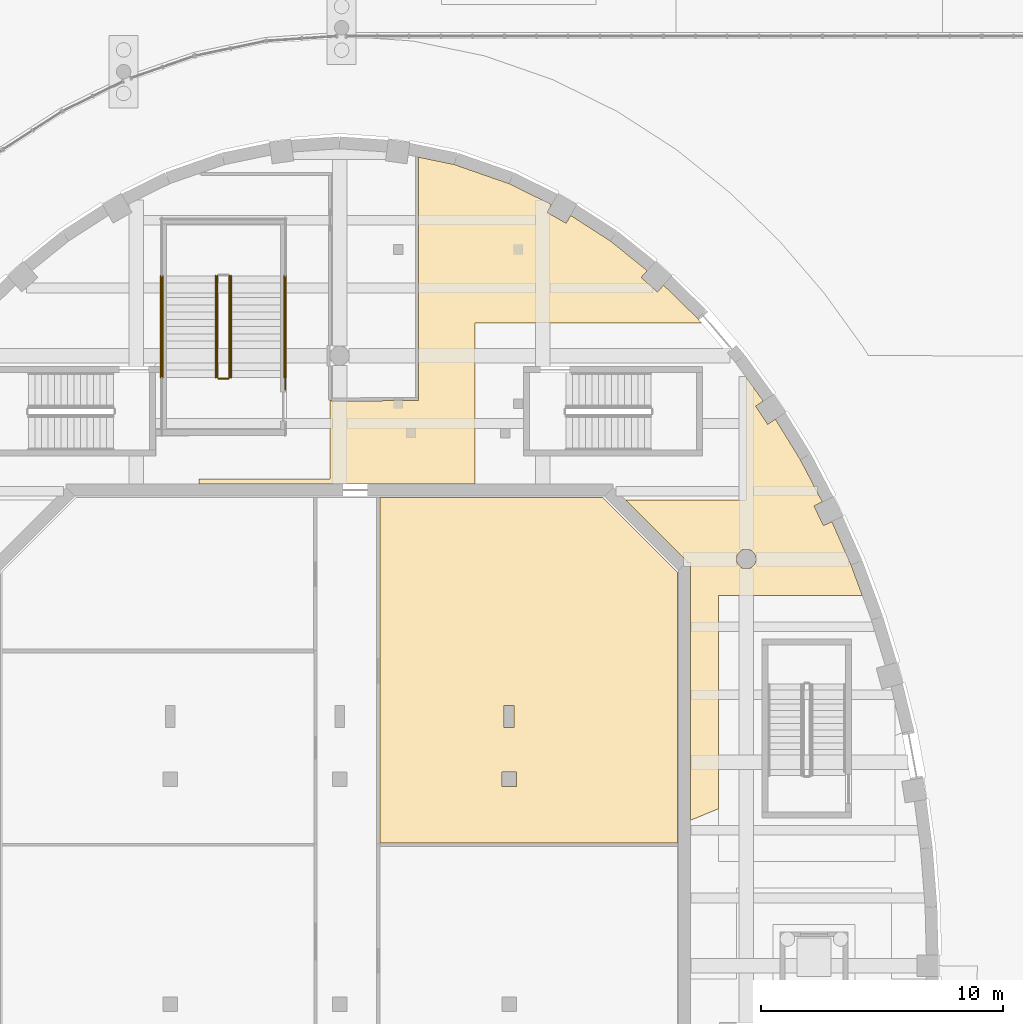
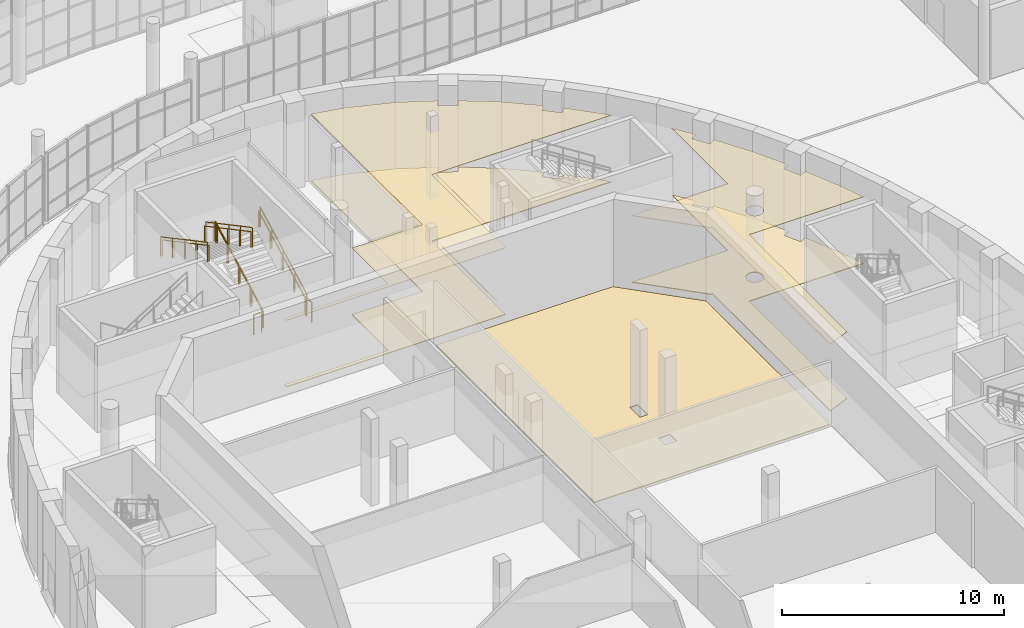
# One storey, part 101 of 110: 10 railings, 5 coverings.
"""IFC4 building model written with IfcOpenShell, lengths in metres."""

import ifcopenshell
import ifcopenshell.guid

model = None  # the IFC model being written
_history = None  # IfcOwnerHistory: only IFC2X3 demands one
_inside = {}  # id of a spatial element -> (the spatial element, [elements in it])
_under = {}  # id of a project, library or spatial element -> (it, [spatial elements below it])
_declared = {}  # id of a project -> (the project, [libraries it declares])
_typed = {}  # id of a type object -> (the type object, [elements of that type])
_made_of = {}  # id of a material, layer set ... -> (it, [elements and type objects made of it])


def new_model(schema):
    """Start an empty IFC model of exactly this schema.

    Asked for "IFC4X3", IfcOpenShell would pick the latest addendum, in which some entities
    have other attributes; the version numbers below select the first issue.
    IFC2X3 requires an IfcOwnerHistory on every rooted entity: one is made here for all.
    """
    global model, _history
    if schema == "IFC4X3":
        model = ifcopenshell.file(schema_version=(4, 3, 0, 0))
    else:
        model = ifcopenshell.file(schema=schema)
    _inside.clear()
    _under.clear()
    _declared.clear()
    _typed.clear()
    _made_of.clear()
    _history = None
    if model.schema == "IFC2X3":
        org = make("IfcOrganization", Name="unknown")
        user = make(
            "IfcPersonAndOrganization",
            ThePerson=make("IfcPerson", FamilyName="unknown"),
            TheOrganization=org,
        )
        app = make(
            "IfcApplication",
            ApplicationDeveloper=org,
            Version="unknown",
            ApplicationFullName="unknown",
            ApplicationIdentifier="unknown",
        )
        _history = make(
            "IfcOwnerHistory",
            OwningUser=user,
            OwningApplication=app,
            ChangeAction="ADDED",
            CreationDate=0,
        )
    return model


def make(cls, **values):
    """One entity of the class cls with the attributes given. An attribute that is None is left unset."""
    return model.create_entity(
        cls, **{name: value for name, value in values.items() if value is not None}
    )


def rooted(cls, **values):
    """An entity with a GlobalId (a new one), such as an element, a storey or a relation."""
    return make(cls, GlobalId=ifcopenshell.guid.new(), OwnerHistory=_history, **values)


def si_unit(unit_type, name, prefix=None):
    """IfcSIUnit, for example si_unit("LENGTHUNIT", "METRE", prefix="MILLI")."""
    return make("IfcSIUnit", UnitType=unit_type, Prefix=prefix, Name=name)


def assignment(units):
    """IfcUnitAssignment: the units of a project."""
    return None if units is None else make("IfcUnitAssignment", Units=units)


def point(xyz):
    """IfcCartesianPoint."""
    return None if xyz is None else make("IfcCartesianPoint", Coordinates=xyz)


def direction(xyz):
    """IfcDirection."""
    return None if xyz is None else make("IfcDirection", DirectionRatios=xyz)


def frame(location, z_axis=None, x_axis=None):
    """IfcAxis2Placement3D, a coordinate frame: its origin and axes. An axis left out is left unset."""
    return make(
        "IfcAxis2Placement3D",
        Location=point(location),
        Axis=direction(z_axis),
        RefDirection=direction(x_axis),
    )


def frame_2d(location, x_axis=None):
    """IfcAxis2Placement2D, a coordinate frame in the plane: its origin and x axis."""
    return make(
        "IfcAxis2Placement2D", Location=point(location), RefDirection=direction(x_axis)
    )


def origin():
    """The frame at (0, 0, 0) with its axes left unset."""
    return frame((0.0, 0.0, 0.0))


def origin_2d():
    """The frame at (0, 0) in the plane with its x axis left unset."""
    return frame_2d((0.0, 0.0))


def place(relative_to, where):
    """IfcLocalPlacement: puts the frame where relative to a parent placement (None: the world)."""
    return make(
        "IfcLocalPlacement", PlacementRelTo=relative_to, RelativePlacement=where
    )


def context(
    kind, dimensions, precision=None, world=None, true_north=None, identifier=None
):
    """IfcGeometricRepresentationContext, for example the 3D "Model" context."""
    return make(
        "IfcGeometricRepresentationContext",
        ContextIdentifier=identifier,
        ContextType=kind,
        CoordinateSpaceDimension=dimensions,
        Precision=precision,
        WorldCoordinateSystem=world,
        TrueNorth=true_north,
    )


def subcontext(parent, identifier, kind, view, scale=None):
    """IfcGeometricRepresentationSubContext, for example "Body" below "Model"."""
    return make(
        "IfcGeometricRepresentationSubContext",
        ContextIdentifier=identifier,
        ContextType=kind,
        ParentContext=parent,
        TargetScale=scale,
        TargetView=view,
    )


def project(units=None, contexts=None):
    """IfcProject with its units and contexts."""
    return rooted(
        "IfcProject",
        Name="project",
        RepresentationContexts=contexts,
        UnitsInContext=assignment(units),
    )


def spatial(cls, under=None, at=None, **own):
    """A site, building, storey or space (cls), placed at a placement, below another one or the project."""
    s = rooted(cls, ObjectPlacement=at, **own)
    if under is not None:
        _under.setdefault(under.id(), (under, []))[1].append(s)
    return s


def polyline(points):
    """IfcPolyline through the points."""
    return make("IfcPolyline", Points=[point(p) for p in points])


def profile(cls, at=None, kind="AREA", **sizes):
    """A parametric profile (cls). Its sizes go by their IFC names, for example OverallWidth=200.0."""
    return make(cls, ProfileType=kind, Position=at, **sizes)


def circle(**sizes):
    """IfcCircleProfileDef."""
    return profile("IfcCircleProfileDef", **sizes)


def outline(outer, holes=None, kind="AREA"):
    """IfcArbitraryClosedProfileDef: a profile drawn as a closed curve; with holes, ...WithVoids."""
    if holes is None:
        return make("IfcArbitraryClosedProfileDef", ProfileType=kind, OuterCurve=outer)
    return make(
        "IfcArbitraryProfileDefWithVoids",
        ProfileType=kind,
        OuterCurve=outer,
        InnerCurves=holes,
    )


def extrude(swept, where, along, depth):
    """IfcExtrudedAreaSolid: the profile swept, set in the frame where, extruded along a direction by depth."""
    return make(
        "IfcExtrudedAreaSolid",
        SweptArea=swept,
        Position=where,
        ExtrudedDirection=direction(along),
        Depth=depth,
    )


def shape(context_of_items, identifier, shape_type, items):
    """IfcShapeRepresentation: the items that make up one representation, for example the "Body"."""
    return make(
        "IfcShapeRepresentation",
        ContextOfItems=context_of_items,
        RepresentationIdentifier=identifier,
        RepresentationType=shape_type,
        Items=items,
    )


def material(Name=None, Category=None):
    """IfcMaterial."""
    return make("IfcMaterial", Name=Name, Category=Category)


def layer(
    of_material, thickness, ventilated=None, Name=None, Category=None, Priority=None
):
    """IfcMaterialLayer: one layer of a wall or slab, of a material (None: an air gap)."""
    return make(
        "IfcMaterialLayer",
        Material=of_material,
        LayerThickness=thickness,
        IsVentilated=ventilated,
        Name=Name,
        Category=Category,
        Priority=Priority,
    )


def layer_set(layers, Name=None):
    """IfcMaterialLayerSet."""
    return make("IfcMaterialLayerSet", MaterialLayers=layers, LayerSetName=Name)


def made_of(thing, what):
    """Note that an element or type object is made of a material, layer set ...; save() writes the relation."""
    if what is not None:
        _made_of.setdefault(what.id(), (what, []))[1].append(thing)
    return thing


def type_object(cls, material=None, **own):
    """A type object (cls), such as IfcWallType, which elements share."""
    return made_of(rooted(cls, **own), material)


def element(
    cls,
    number,
    at=None,
    inside=None,
    cuts=None,
    type_object=None,
    material=None,
    context=None,
    identifier="Body",
    shape_type=None,
    held_by="IfcProductDefinitionShape",
    body=None,
    shapes=None,
    **own,
):
    """One element of the class cls, such as IfcWall. Its Tag is "e" and its number.

    at: its placement. inside: the storey or other place that contains it. cuts: it is an
    opening in that element (IfcRelVoidsElement). A single representation is given by context,
    identifier, shape_type and body (its items); several are given by shapes. held_by: the class
    of the entity that holds the representations. save() writes the other relations.
    """
    e = rooted(cls, Tag="e%d" % number, ObjectPlacement=at, **own)
    if body is not None:
        shapes = [shape(context, identifier, shape_type, body)]
    if shapes is not None:
        e.Representation = make(held_by, Representations=shapes)
    if inside is not None:
        _inside.setdefault(inside.id(), (inside, []))[1].append(e)
    if cuts is not None:
        rooted(
            "IfcRelVoidsElement", RelatingBuildingElement=cuts, RelatedOpeningElement=e
        )
    if type_object is not None:
        _typed.setdefault(type_object.id(), (type_object, []))[1].append(e)
    return made_of(e, material)


def aggregate(whole, parts):
    """IfcRelAggregates: a whole, such as a stair, and the parts it consists of."""
    return rooted("IfcRelAggregates", RelatingObject=whole, RelatedObjects=parts)


def save(model, path):
    """Write the relations noted so far, then the file.

    IfcRelAggregates (storeys below a building ...), IfcRelContainedInSpatialStructure (elements
    in a storey), IfcRelDefinesByType, IfcRelAssociatesMaterial and IfcRelDeclares: one each for
    every whole, place, type object, material and project.
    """
    for whole, parts in _under.values():
        aggregate(whole, parts)
    for where, things in _inside.values():
        rooted(
            "IfcRelContainedInSpatialStructure",
            RelatedElements=things,
            RelatingStructure=where,
        )
    for kind, things in _typed.values():
        rooted("IfcRelDefinesByType", RelatedObjects=things, RelatingType=kind)
    for what, things in _made_of.values():
        rooted("IfcRelAssociatesMaterial", RelatedObjects=things, RelatingMaterial=what)
    for by, libraries in _declared.values():
        rooted("IfcRelDeclares", RelatingContext=by, RelatedDefinitions=libraries)
    model.write(path)


model = new_model("IFC4")

# Units and contexts
model_context = context("Model", 3, precision=1e-05, world=origin(), true_north=direction((0.0, 1.0)))
body_context = subcontext(model_context, "Body", "Model", "MODEL_VIEW")
ifc_project = project(units=[si_unit("LENGTHUNIT", "METRE"), si_unit("AREAUNIT", "SQUARE_METRE"), si_unit("VOLUMEUNIT", "CUBIC_METRE"), si_unit("PLANEANGLEUNIT", "RADIAN"), si_unit("MASSUNIT", "GRAM", prefix="KILO")], contexts=[model_context])

# Site, building, storey
site_placement = place(None, origin())
site = spatial("IfcSite", under=ifc_project, at=site_placement, CompositionType="ELEMENT")
building_placement = place(site_placement, origin())
building = spatial("IfcBuilding", under=site, at=building_placement, Name="Larchfold Concert Hall", CompositionType="ELEMENT")
storey_placement = place(building_placement, origin())
storey = spatial("IfcBuildingStorey", under=building, at=storey_placement, Name="L00", CompositionType="ELEMENT", Elevation=0.0)

# Coverings
ifc_material_1 = material(Name="Plasterboard ceiling lining")
ifc_layer_1 = layer(ifc_material_1, 0.030029296875)
ifc_layer_set_1 = layer_set([ifc_layer_1], Name="Plasterboard ceiling lining")
covering_type_1 = type_object("IfcCoveringType", Name="Ceiling suspended plasterboard 30", PredefinedType="CEILING", material=ifc_layer_set_1)
covering_1_placement = place(storey_placement, frame((0.0, 0.0, 3.670166015625)))
element("IfcCovering", 1, at=covering_1_placement, inside=storey, type_object=covering_type_1, Name="Ceiling Hall Foyer North East", PredefinedType="CEILING", context=body_context, shape_type="SweptSolid", body=[
    extrude(outline(polyline([(57.10009765625, 101.251220703125), (57.10009765625, 90.606201171875), (58.25, 91.08251953125), (58.25, 99.900146484375), (64.19384765625, 99.900146484375), (63.732177734375, 101.149169921875), (62.937255859375, 102.948974609375), (62.58984375, 102.781982421875), (62.199951171875, 103.59326171875), (62.546630859375, 103.759765625), (61.635986328125, 105.502685546875), (60.60595703125, 107.17626953125), (60.287353515625, 106.963623046875), (59.787841796875, 107.712158203125), (60.10595703125, 107.924560546875), (59.400146484375, 108.898681640625), (59.400146484375, 103.849853515625), (54.40380859375, 103.849853515625), (56.9541015625, 101.299560546875), (56.92724609375, 101.272705078125), (56.948974609375, 101.251220703125), (57.10009765625, 101.251220703125)]), holes=[polyline([(59.199951171875, 101.053466796875), (59.156494140625, 101.08251953125), (59.116943359375, 101.116943359375), (59.08251953125, 101.156494140625), (59.053466796875, 101.199951171875), (59.0302734375, 101.246826171875), (59.013427734375, 101.29638671875), (59.00341796875, 101.34765625), (59.0, 101.39990234375), (59.00341796875, 101.4521484375), (59.013427734375, 101.50341796875), (59.0302734375, 101.552978515625), (59.053466796875, 101.599853515625), (59.08251953125, 101.643310546875), (59.116943359375, 101.682861328125), (59.156494140625, 101.71728515625), (59.199951171875, 101.746337890625), (59.246826171875, 101.76953125), (59.29638671875, 101.786376953125), (59.34765625, 101.79638671875), (59.39990234375, 101.7998046875), (59.4521484375, 101.79638671875), (59.50341796875, 101.786376953125), (59.552978515625, 101.76953125), (59.599853515625, 101.746337890625), (59.643310546875, 101.71728515625), (59.682861328125, 101.682861328125), (59.71728515625, 101.643310546875), (59.746337890625, 101.599853515625), (59.76953125, 101.552978515625), (59.786376953125, 101.50341796875), (59.79638671875, 101.4521484375), (59.7998046875, 101.39990234375), (59.79638671875, 101.34765625), (59.786376953125, 101.29638671875), (59.76953125, 101.246826171875), (59.746337890625, 101.199951171875), (59.71728515625, 101.156494140625), (59.682861328125, 101.116943359375), (59.643310546875, 101.08251953125), (59.599853515625, 101.053466796875), (59.552978515625, 101.0302734375), (59.50341796875, 101.013427734375), (59.4521484375, 101.00341796875), (59.39990234375, 101.0), (59.34765625, 101.00341796875), (59.29638671875, 101.013427734375), (59.246826171875, 101.0302734375), (59.199951171875, 101.053466796875)])]), origin(), (0.0, 0.0, 1.0), 0.030029296875),
])
covering_2_placement = place(storey_placement, frame((0.0, 0.0, 3.670166015625)))
element("IfcCovering", 2, at=covering_2_placement, inside=storey, type_object=covering_type_1, Name="Ceiling Hall Foyer North", PredefinedType="CEILING", context=body_context, shape_type="SweptSolid", body=[
    extrude(outline(polyline([(42.19384765625, 104.70068359375), (36.800048828125, 104.699951171875), (36.800048828125, 104.5), (48.199462890625, 104.5), (48.19970703125, 111.150390625), (48.400390625, 111.14990234375), (48.400390625, 105.5849609375), (48.403564453125, 111.14794921875), (57.55322265625, 111.150146484375), (57.384521484375, 111.346923828125), (55.9833984375, 112.717041015625), (55.7314453125, 112.434326171875), (55.059326171875, 113.03271484375), (55.310302734375, 113.314453125), (53.78564453125, 114.541748046875), (52.142333984375, 115.600830078125), (51.95703125, 115.275390625), (51.1748046875, 115.72021484375), (51.359130859375, 116.04443359375), (49.608642578125, 116.907958984375), (47.34130859375, 117.697509765625), (45.862548828125, 118.004150390625), (45.860595703125, 107.941650390625), (42.264892578125, 107.9375), (42.264892578125, 108.0), (42.262451171875, 107.97998046875), (42.199951171875, 107.97998046875), (42.19384765625, 104.70068359375)])), origin(), (0.0, 0.0, 1.0), 0.030029296875),
])
ifc_material_2 = material(Name="Sealed cement screed")
ifc_layer_2 = layer(ifc_material_2, 0.050048828125)
ifc_layer_set_2 = layer_set([ifc_layer_2], Name="Sealed cement screed")
covering_type_2 = type_object("IfcCoveringType", Name="Floor finish sealed screed 50", PredefinedType="FLOORING", material=ifc_layer_set_2)
covering_3_placement = place(storey_placement, origin())
element("IfcCovering", 3, at=covering_3_placement, inside=storey, type_object=covering_type_2, Name="Floor finish Hall Plant Room 02", PredefinedType="FLOORING", context=body_context, shape_type="SweptSolid", body=[
    extrude(outline(polyline([(56.550048828125, 89.675048828125), (56.550048828125, 100.872314453125), (53.47216796875, 103.949951171875), (44.27490234375, 103.949951171875), (44.27490234375, 89.675048828125), (56.550048828125, 89.675048828125)]), holes=[polyline([(49.900146484375, 92.0), (49.300048828125, 92.0), (49.300048828125, 92.60009765625), (49.900146484375, 92.60009765625), (49.900146484375, 92.0)]), polyline([(49.400146484375, 94.449951171875), (49.400146484375, 95.349853515625), (49.800048828125, 95.349853515625), (49.800048828125, 94.449951171875), (49.400146484375, 94.449951171875)])]), origin(), (0.0, 0.0, 1.0), 0.050048828125),
])
ifc_material_3 = material(Name="Polished terrazzo")
ifc_layer_3 = layer(ifc_material_3, 0.0400390625)
ifc_layer_set_3 = layer_set([ifc_layer_3], Name="Polished terrazzo")
covering_type_3 = type_object("IfcCoveringType", Name="Floor finish terrazzo 40", PredefinedType="FLOORING", material=ifc_layer_set_3)
covering_4_placement = place(storey_placement, origin())
element("IfcCovering", 4, at=covering_4_placement, inside=storey, type_object=covering_type_3, Name="Floor finish Hall Foyer North East", PredefinedType="FLOORING", context=body_context, shape_type="SweptSolid", body=[
    extrude(outline(polyline([(57.10009765625, 101.251220703125), (57.10009765625, 90.606201171875), (58.25, 91.08251953125), (58.25, 99.900146484375), (64.19384765625, 99.900146484375), (63.732177734375, 101.149169921875), (62.937255859375, 102.948974609375), (62.58984375, 102.781982421875), (62.199951171875, 103.59326171875), (62.546630859375, 103.759765625), (61.635986328125, 105.502685546875), (60.60595703125, 107.17626953125), (60.287353515625, 106.963623046875), (59.787841796875, 107.712158203125), (60.10595703125, 107.924560546875), (59.400146484375, 108.898681640625), (59.400146484375, 103.849853515625), (54.40380859375, 103.849853515625), (56.9541015625, 101.299560546875), (56.92724609375, 101.272705078125), (56.948974609375, 101.251220703125), (57.10009765625, 101.251220703125)]), holes=[polyline([(59.199951171875, 101.053466796875), (59.156494140625, 101.08251953125), (59.116943359375, 101.116943359375), (59.08251953125, 101.156494140625), (59.053466796875, 101.199951171875), (59.0302734375, 101.246826171875), (59.013427734375, 101.29638671875), (59.00341796875, 101.34765625), (59.0, 101.39990234375), (59.00341796875, 101.4521484375), (59.013427734375, 101.50341796875), (59.0302734375, 101.552978515625), (59.053466796875, 101.599853515625), (59.08251953125, 101.643310546875), (59.116943359375, 101.682861328125), (59.156494140625, 101.71728515625), (59.199951171875, 101.746337890625), (59.246826171875, 101.76953125), (59.29638671875, 101.786376953125), (59.34765625, 101.79638671875), (59.39990234375, 101.7998046875), (59.4521484375, 101.79638671875), (59.50341796875, 101.786376953125), (59.552978515625, 101.76953125), (59.599853515625, 101.746337890625), (59.643310546875, 101.71728515625), (59.682861328125, 101.682861328125), (59.71728515625, 101.643310546875), (59.746337890625, 101.599853515625), (59.76953125, 101.552978515625), (59.786376953125, 101.50341796875), (59.79638671875, 101.4521484375), (59.7998046875, 101.39990234375), (59.79638671875, 101.34765625), (59.786376953125, 101.29638671875), (59.76953125, 101.246826171875), (59.746337890625, 101.199951171875), (59.71728515625, 101.156494140625), (59.682861328125, 101.116943359375), (59.643310546875, 101.08251953125), (59.599853515625, 101.053466796875), (59.552978515625, 101.0302734375), (59.50341796875, 101.013427734375), (59.4521484375, 101.00341796875), (59.39990234375, 101.0), (59.34765625, 101.00341796875), (59.29638671875, 101.013427734375), (59.246826171875, 101.0302734375), (59.199951171875, 101.053466796875)])]), origin(), (0.0, 0.0, 1.0), 0.0400390625),
])
covering_5_placement = place(storey_placement, origin())
element("IfcCovering", 5, at=covering_5_placement, inside=storey, type_object=covering_type_3, Name="Floor finish Hall Foyer North", PredefinedType="FLOORING", context=body_context, shape_type="SweptSolid", body=[
    extrude(outline(polyline([(42.19384765625, 104.70068359375), (36.800048828125, 104.699951171875), (36.800048828125, 104.5), (48.199462890625, 104.5), (48.19970703125, 111.150390625), (48.400390625, 111.14990234375), (48.400390625, 105.5849609375), (48.403564453125, 111.14794921875), (57.55322265625, 111.150146484375), (57.384521484375, 111.346923828125), (55.9833984375, 112.717041015625), (55.7314453125, 112.434326171875), (55.059326171875, 113.03271484375), (55.310302734375, 113.314453125), (53.78564453125, 114.541748046875), (52.142333984375, 115.600830078125), (51.95703125, 115.275390625), (51.1748046875, 115.72021484375), (51.359130859375, 116.04443359375), (49.608642578125, 116.907958984375), (47.34130859375, 117.697509765625), (45.862548828125, 118.004150390625), (45.860595703125, 107.941650390625), (42.264892578125, 107.9375), (42.264892578125, 108.0), (42.262451171875, 107.97998046875), (42.199951171875, 107.97998046875), (42.19384765625, 104.70068359375)])), origin(), (0.0, 0.0, 1.0), 0.0400390625),
])

# Railings
ifc_material_4 = material(Name="Stainless steel balustrade", Category="steel")
railing_type_1 = type_object("IfcRailingType", Name="Stair guard 1100", PredefinedType="GUARDRAIL", material=ifc_material_4)
railing_1_placement = place(storey_placement, frame((38.0498046875, 108.89990234375, 0.159912109375)))
element("IfcRailing", 6, at=railing_1_placement, inside=storey, type_object=railing_type_1, Name="Guard GR0109", PredefinedType="GUARDRAIL", context=body_context, shape_type="SweptSolid", body=[
    extrude(circle(Radius=0.02392578125, at=origin_2d()), frame((0.0, 0.0, 1.076171875), z_axis=(0.0, 0.882362879185, 0.470569601054), x_axis=(-1.0, 0.0, 0.0)), (0.0, 0.0, 1.0), 4.76025390625),
    extrude(circle(Radius=0.02099609375, at=origin_2d()), origin(), (0.0, 0.0, 1.0), 1.052001953125),
    extrude(circle(Radius=0.02099609375, at=origin_2d()), frame((0.0, 1.050048828125, 0.56005859375)), (0.0, 0.0, 1.0), 1.052001953125),
    extrude(circle(Radius=0.02099609375, at=origin_2d()), frame((0.0, 2.10009765625, 1.1201171875)), (0.0, 0.0, 1.0), 1.052001953125),
    extrude(circle(Radius=0.02099609375, at=origin_2d()), frame((0.0, 3.150146484375, 1.679931640625)), (0.0, 0.0, 1.0), 1.052001953125),
    extrude(circle(Radius=0.02099609375, at=origin_2d()), frame((0.0, 4.2001953125, 2.239990234375)), (0.0, 0.0, 1.0), 1.052001953125),
])
railing_2_placement = place(storey_placement, frame((37.5498046875, 113.10009765625, 2.56005859375)))
element("IfcRailing", 7, at=railing_2_placement, inside=storey, type_object=railing_type_1, Name="Guard GR0114", PredefinedType="GUARDRAIL", context=body_context, shape_type="SweptSolid", body=[
    extrude(circle(Radius=0.02392578125, at=origin_2d()), frame((0.0, 0.0, 1.076171875), z_axis=(0.0, -0.882362879185, 0.470569601054), x_axis=(1.0, 0.0, 0.0)), (0.0, 0.0, 1.0), 4.76025390625),
    extrude(circle(Radius=0.02099609375, at=origin_2d()), origin(), (0.0, 0.0, 1.0), 1.052001953125),
    extrude(circle(Radius=0.02099609375, at=origin_2d()), frame((0.0, -1.050048828125, 0.56005859375)), (0.0, 0.0, 1.0), 1.052001953125),
    extrude(circle(Radius=0.02099609375, at=origin_2d()), frame((0.0, -2.10009765625, 1.1201171875)), (0.0, 0.0, 1.0), 1.052001953125),
    extrude(circle(Radius=0.02099609375, at=origin_2d()), frame((0.0, -3.150146484375, 1.679931640625)), (0.0, 0.0, 1.0), 1.052001953125),
    extrude(circle(Radius=0.02099609375, at=origin_2d()), frame((0.0, -4.2001953125, 2.239990234375)), (0.0, 0.0, 1.0), 1.052001953125),
])
railing_3_placement = place(storey_placement, frame((38.0, 108.85009765625, 0.0)))
element("IfcRailing", 8, at=railing_3_placement, inside=storey, type_object=railing_type_1, Name="Guard GR0115", PredefinedType="GUARDRAIL", context=body_context, shape_type="SweptSolid", body=[
    extrude(circle(Radius=0.02392578125, at=origin_2d()), frame((0.0, 0.0, 1.076171875), z_axis=(-1.0, 0.0, 0.0), x_axis=(0.0, -1.0, 0.0)), (0.0, 0.0, 1.0), 0.400146484375),
    extrude(circle(Radius=0.02099609375, at=origin_2d()), origin(), (0.0, 0.0, 1.0), 1.052001953125),
    extrude(circle(Radius=0.02099609375, at=origin_2d()), frame((-0.400146484375, 0.0, 0.0)), (0.0, 0.0, 1.0), 1.052001953125),
])
railing_4_placement = place(storey_placement, frame((40.3798828125, 108.89990234375, 0.159912109375)))
element("IfcRailing", 9, at=railing_4_placement, inside=storey, type_object=railing_type_1, Name="Guard GR0118", PredefinedType="GUARDRAIL", context=body_context, shape_type="SweptSolid", body=[
    extrude(circle(Radius=0.02392578125, at=origin_2d()), frame((0.0, 0.0, 1.076171875), z_axis=(0.0, 0.882362879185, 0.470569601054), x_axis=(-1.0, 0.0, 0.0)), (0.0, 0.0, 1.0), 4.76025390625),
    extrude(circle(Radius=0.02099609375, at=origin_2d()), origin(), (0.0, 0.0, 1.0), 1.052001953125),
    extrude(circle(Radius=0.02099609375, at=origin_2d()), frame((0.0, 1.050048828125, 0.56005859375)), (0.0, 0.0, 1.0), 1.052001953125),
    extrude(circle(Radius=0.02099609375, at=origin_2d()), frame((0.0, 2.10009765625, 1.1201171875)), (0.0, 0.0, 1.0), 1.052001953125),
    extrude(circle(Radius=0.02099609375, at=origin_2d()), frame((0.0, 3.150146484375, 1.679931640625)), (0.0, 0.0, 1.0), 1.052001953125),
    extrude(circle(Radius=0.02099609375, at=origin_2d()), frame((0.0, 4.2001953125, 2.239990234375)), (0.0, 0.0, 1.0), 1.052001953125),
])
railing_5_placement = place(storey_placement, frame((35.219970703125, 113.10009765625, 2.56005859375)))
element("IfcRailing", 10, at=railing_5_placement, inside=storey, type_object=railing_type_1, Name="Guard GR0119", PredefinedType="GUARDRAIL", context=body_context, shape_type="SweptSolid", body=[
    extrude(circle(Radius=0.02392578125, at=origin_2d()), frame((0.0, 0.0, 1.076171875), z_axis=(0.0, -0.882362879185, 0.470569601054), x_axis=(1.0, 0.0, 0.0)), (0.0, 0.0, 1.0), 4.76025390625),
    extrude(circle(Radius=0.02099609375, at=origin_2d()), origin(), (0.0, 0.0, 1.0), 1.052001953125),
    extrude(circle(Radius=0.02099609375, at=origin_2d()), frame((0.0, -1.050048828125, 0.56005859375)), (0.0, 0.0, 1.0), 1.052001953125),
    extrude(circle(Radius=0.02099609375, at=origin_2d()), frame((0.0, -2.10009765625, 1.1201171875)), (0.0, 0.0, 1.0), 1.052001953125),
    extrude(circle(Radius=0.02099609375, at=origin_2d()), frame((0.0, -3.150146484375, 1.679931640625)), (0.0, 0.0, 1.0), 1.052001953125),
    extrude(circle(Radius=0.02099609375, at=origin_2d()), frame((0.0, -4.2001953125, 2.239990234375)), (0.0, 0.0, 1.0), 1.052001953125),
])
railing_6_placement = place(storey_placement, frame((40.349853515625, 108.400146484375, 0.0)))
element("IfcRailing", 11, at=railing_6_placement, inside=storey, type_object=railing_type_1, Name="Guard GR0116a", PredefinedType="GUARDRAIL", context=body_context, shape_type="SweptSolid", body=[
    extrude(circle(Radius=0.02392578125, at=origin_2d()), frame((0.0, 0.0, 1.076171875), z_axis=(0.0, 1.0, 0.0), x_axis=(-1.0, 0.0, 0.0)), (0.0, 0.0, 1.0), 0.499755859375),
    extrude(circle(Radius=0.02099609375, at=origin_2d()), origin(), (0.0, 0.0, 1.0), 1.052001953125),
    extrude(circle(Radius=0.02099609375, at=origin_2d()), frame((0.0, 0.499755859375, 0.0)), (0.0, 0.0, 1.0), 1.052001953125),
])
ifc_material_5 = material(Name="Stainless steel handrail", Category="steel")
railing_type_2 = type_object("IfcRailingType", Name="Stair handrail 900", PredefinedType="HANDRAIL", material=ifc_material_5)
for number, where, name in (
    (12, (38.119873046875, 108.89990234375, 0.159912109375), "Handrail HR0105"),
    (13, (40.309814453125, 108.89990234375, 0.159912109375), "Handrail HR0106"),
):
    element("IfcRailing", number, at=place(storey_placement, frame(where)), inside=storey, type_object=railing_type_2, Name=name, PredefinedType="HANDRAIL", context=body_context, shape_type="SweptSolid", body=[
        extrude(circle(Radius=0.02392578125, at=origin_2d()), frame((0.0, 0.0, 0.8759765625), z_axis=(0.0, 0.882362879185, 0.470569601054), x_axis=(-1.0, 0.0, 0.0)), (0.0, 0.0, 1.0), 4.76025390625),
        extrude(circle(Radius=0.02099609375, at=origin_2d()), origin(), (0.0, 0.0, 1.0), 0.851806640625),
        extrude(circle(Radius=0.02099609375, at=origin_2d()), frame((0.0, 1.050048828125, 0.56005859375)), (0.0, 0.0, 1.0), 0.851806640625),
        extrude(circle(Radius=0.02099609375, at=origin_2d()), frame((0.0, 2.10009765625, 1.1201171875)), (0.0, 0.0, 1.0), 0.851806640625),
        extrude(circle(Radius=0.02099609375, at=origin_2d()), frame((0.0, 3.150146484375, 1.679931640625)), (0.0, 0.0, 1.0), 0.851806640625),
        extrude(circle(Radius=0.02099609375, at=origin_2d()), frame((0.0, 4.2001953125, 2.239990234375)), (0.0, 0.0, 1.0), 0.851806640625),
    ])
for number, where, name in (
    (14, (37.47998046875, 113.10009765625, 2.56005859375), "Handrail HR0107"),
    (15, (35.289794921875, 113.10009765625, 2.56005859375), "Handrail HR0108"),
):
    element("IfcRailing", number, at=place(storey_placement, frame(where)), inside=storey, type_object=railing_type_2, Name=name, PredefinedType="HANDRAIL", context=body_context, shape_type="SweptSolid", body=[
        extrude(circle(Radius=0.02392578125, at=origin_2d()), frame((0.0, 0.0, 0.8759765625), z_axis=(0.0, -0.882362879185, 0.470569601054), x_axis=(1.0, 0.0, 0.0)), (0.0, 0.0, 1.0), 4.76025390625),
        extrude(circle(Radius=0.02099609375, at=origin_2d()), origin(), (0.0, 0.0, 1.0), 0.851806640625),
        extrude(circle(Radius=0.02099609375, at=origin_2d()), frame((0.0, -1.050048828125, 0.56005859375)), (0.0, 0.0, 1.0), 0.851806640625),
        extrude(circle(Radius=0.02099609375, at=origin_2d()), frame((0.0, -2.10009765625, 1.1201171875)), (0.0, 0.0, 1.0), 0.851806640625),
        extrude(circle(Radius=0.02099609375, at=origin_2d()), frame((0.0, -3.150146484375, 1.679931640625)), (0.0, 0.0, 1.0), 0.851806640625),
        extrude(circle(Radius=0.02099609375, at=origin_2d()), frame((0.0, -4.2001953125, 2.239990234375)), (0.0, 0.0, 1.0), 0.851806640625),
    ])

save(model, "model.ifc")
